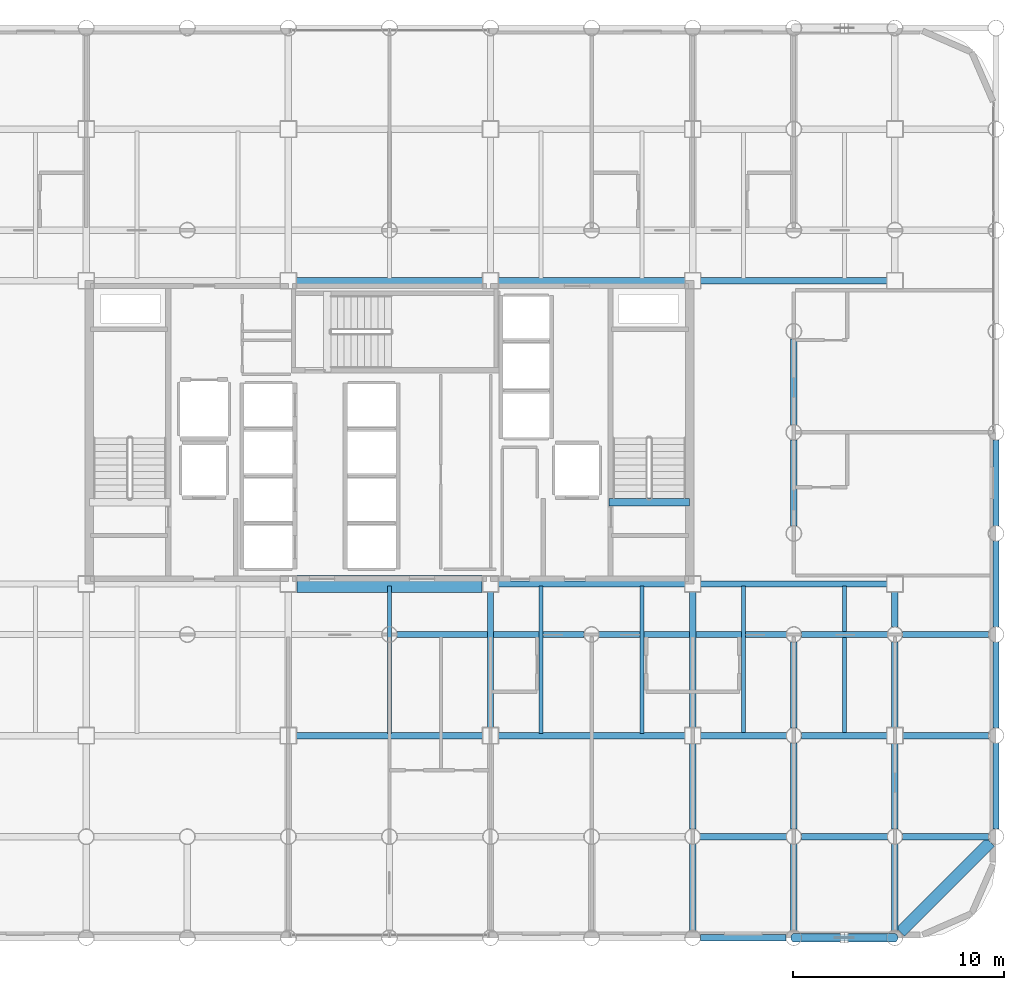
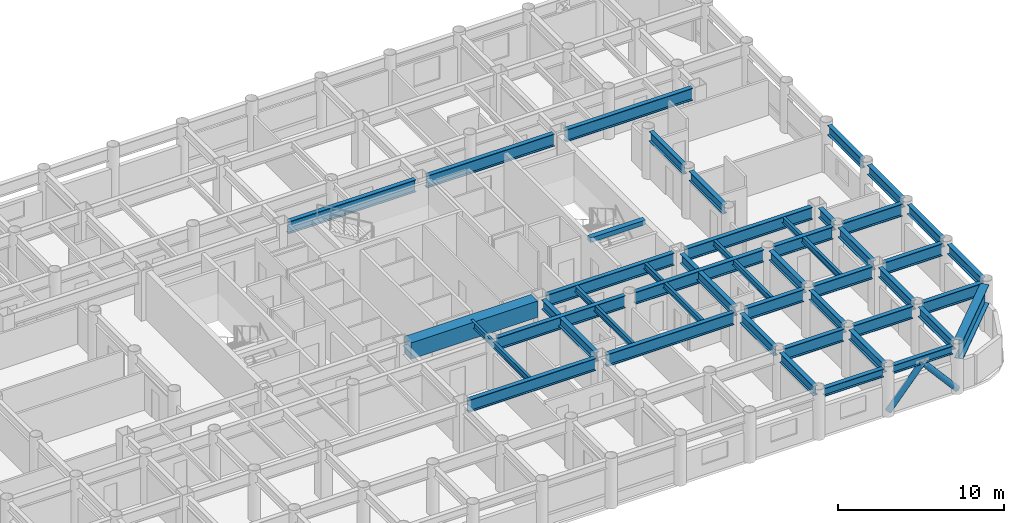
# One storey, part 7 of 21: 44 beams, 2 members.
"""IFC4 building model written with IfcOpenShell, lengths in metres."""

from ifc_helpers import new_model, si_unit, direction, frame, origin, origin_2d, place, context, subcontext, project, spatial, rectangle, hollow_circle, i_section, extrude, material, material_profile, profile_set, type_object, element, save


model = new_model("IFC4")

# Units and contexts
model_context = context("Model", 3, precision=1e-05, world=origin(), true_north=direction((0.0, 1.0)))
body_context = subcontext(model_context, "Body", "Model", "MODEL_VIEW")
ifc_project = project(units=[si_unit("LENGTHUNIT", "METRE"), si_unit("AREAUNIT", "SQUARE_METRE"), si_unit("VOLUMEUNIT", "CUBIC_METRE"), si_unit("PLANEANGLEUNIT", "RADIAN"), si_unit("MASSUNIT", "GRAM", prefix="KILO")], contexts=[model_context])

# Site, building, storey
site_placement = place(None, origin())
site = spatial("IfcSite", under=ifc_project, at=site_placement, CompositionType="ELEMENT")
building_placement = place(site_placement, origin())
building = spatial("IfcBuilding", under=site, at=building_placement, Name="Kallvorn Hotel Tower", CompositionType="ELEMENT")
storey_placement = place(building_placement, frame((0.0, 0.0, 44.800048828125)))
storey = spatial("IfcBuildingStorey", under=building, at=storey_placement, Name="L09", CompositionType="ELEMENT", Elevation=44.800048828125)

# Beams
ifc_material_1 = material(Name="Structural steel S355JR", Category="steel")
ifc_material_profile_1 = material_profile(ifc_material_1, i_section(OverallWidth=0.300048828125, OverallDepth=0.60009765625, WebThickness=0.015380859375, FlangeThickness=0.030029296875, at=origin_2d()), Name="HE 600 B")
ifc_profile_set_1 = profile_set([ifc_material_profile_1], Name="Structural steel S355JR")
beam_type_1 = type_object("IfcBeamType", Name="BM_HE600B", PredefinedType="SPANDREL", material=ifc_profile_set_1)
beam_1_placement = place(storey_placement, frame((14.77099609375, -24.0, 3.219970703125), z_axis=(1.0, 0.0, 0.0), x_axis=(0.0, 1.0, 0.0)))
element("IfcBeam", 1, at=beam_1_placement, inside=storey, type_object=beam_type_1, Name="L10 Perimeter Spandrel 160", PredefinedType="SPANDREL", context=body_context, shape_type="SweptSolid", body=[
    extrude(i_section(OverallWidth=0.300048828125, OverallDepth=0.60009765625, WebThickness=0.015380859375, FlangeThickness=0.030029296875, at=origin_2d()), origin(), (0.0, 0.0, 1.0), 4.05810546875),
])
beam_2_placement = place(storey_placement, frame((19.571044921875, -24.0, 3.219970703125), z_axis=(1.0, 0.0, 0.0), x_axis=(0.0, 1.0, 0.0)))
element("IfcBeam", 2, at=beam_2_placement, inside=storey, type_object=beam_type_1, Name="L10 Perimeter Spandrel 161", PredefinedType="SPANDREL", context=body_context, shape_type="SweptSolid", body=[
    extrude(i_section(OverallWidth=0.300048828125, OverallDepth=0.60009765625, WebThickness=0.015380859375, FlangeThickness=0.030029296875, at=origin_2d()), origin(), (0.0, 0.0, 1.0), 4.057861328125),
])
ifc_material_2 = material(Name="Structural steel S355JR", Category="steel")
ifc_material_profile_2 = material_profile(ifc_material_2, i_section(OverallWidth=0.300048828125, OverallDepth=0.699951171875, WebThickness=0.01708984375, FlangeThickness=0.031982421875, at=origin_2d()), Name="HE 700 B")
ifc_profile_set_2 = profile_set([ifc_material_profile_2], Name="Structural steel S355JR")
beam_type_2 = type_object("IfcBeamType", Name="BM_HE700B", PredefinedType="BEAM", material=ifc_profile_set_2)
beam_3_placement = place(storey_placement, frame((4.800048828125, -14.02490234375, 3.169921875), z_axis=(0.0, 1.0, 0.0), x_axis=(-1.0, 0.0, 0.0)))
element("IfcBeam", 3, at=beam_3_placement, inside=storey, type_object=beam_type_2, Name="L10 Primary Y-Girder 116", PredefinedType="BEAM", context=body_context, shape_type="SweptSolid", body=[
    extrude(i_section(OverallWidth=0.300048828125, OverallDepth=0.699951171875, WebThickness=0.01708984375, FlangeThickness=0.031982421875, at=origin_2d()), origin(), (0.0, 0.0, 1.0), 6.449951171875),
])
beam_4_placement = place(storey_placement, frame((14.39990234375, -23.64404296875, 3.169921875), z_axis=(0.0, 1.0, 0.0), x_axis=(-1.0, 0.0, 0.0)))
element("IfcBeam", 4, at=beam_4_placement, inside=storey, type_object=beam_type_2, Name="L10 Primary Y-Girder 122", PredefinedType="BEAM", context=body_context, shape_type="SweptSolid", body=[
    extrude(i_section(OverallWidth=0.300048828125, OverallDepth=0.699951171875, WebThickness=0.01708984375, FlangeThickness=0.031982421875, at=origin_2d()), origin(), (0.0, 0.0, 1.0), 4.088134765625),
])
beam_5_placement = place(storey_placement, frame((14.39990234375, -18.843994140625, 3.169921875), z_axis=(0.0, 1.0, 0.0), x_axis=(-1.0, 0.0, 0.0)))
element("IfcBeam", 5, at=beam_5_placement, inside=storey, type_object=beam_type_2, Name="L10 Primary Y-Girder 123", PredefinedType="BEAM", context=body_context, shape_type="SweptSolid", body=[
    extrude(i_section(OverallWidth=0.300048828125, OverallDepth=0.699951171875, WebThickness=0.01708984375, FlangeThickness=0.031982421875, at=origin_2d()), origin(), (0.0, 0.0, 1.0), 4.069091796875),
])
beam_6_placement = place(storey_placement, frame((14.39990234375, -14.02490234375, 3.169921875), z_axis=(0.0, 1.0, 0.0), x_axis=(-1.0, 0.0, 0.0)))
element("IfcBeam", 6, at=beam_6_placement, inside=storey, type_object=beam_type_2, Name="L10 Primary Y-Girder 124", PredefinedType="BEAM", context=body_context, shape_type="SweptSolid", body=[
    extrude(i_section(OverallWidth=0.300048828125, OverallDepth=0.699951171875, WebThickness=0.01708984375, FlangeThickness=0.031982421875, at=origin_2d()), origin(), (0.0, 0.0, 1.0), 6.449951171875),
])
beam_7_placement = place(storey_placement, frame((19.199951171875, -23.64404296875, 3.169921875), z_axis=(0.0, 1.0, 0.0), x_axis=(-1.0, 0.0, 0.0)))
element("IfcBeam", 7, at=beam_7_placement, inside=storey, type_object=beam_type_2, Name="L10 Primary Y-Girder 127", PredefinedType="BEAM", context=body_context, shape_type="SweptSolid", body=[
    extrude(i_section(OverallWidth=0.300048828125, OverallDepth=0.699951171875, WebThickness=0.01708984375, FlangeThickness=0.031982421875, at=origin_2d()), origin(), (0.0, 0.0, 1.0), 4.088134765625),
])
for number, where, z_axis, x_axis, name in (
    (8, (19.199951171875, -18.843994140625, 3.169921875), (0.0, 1.0, 0.0), (-1.0, 0.0, 0.0), "L10 Primary Y-Girder 128"),
    (9, (19.199951171875, -14.0439453125, 3.169921875), (0.0, 1.0, 0.0), (-1.0, 0.0, 0.0), "L10 Primary Y-Girder 129"),
):
    element("IfcBeam", number, at=place(storey_placement, frame(where, z_axis=z_axis, x_axis=x_axis)), inside=storey, type_object=beam_type_2, Name=name, PredefinedType="BEAM", context=body_context, shape_type="SweptSolid", body=[
        extrude(i_section(OverallWidth=0.300048828125, OverallDepth=0.699951171875, WebThickness=0.01708984375, FlangeThickness=0.031982421875, at=origin_2d()), origin(), (0.0, 0.0, 1.0), 4.087890625),
    ])
for number, where, z_axis, x_axis, name in (
    (10, (19.199951171875, -4.444091796875, 3.169921875), (0.0, 1.0, 0.0), (-1.0, 0.0, 0.0), "L10 Primary Y-Girder 131"),
    (11, (19.199951171875, 0.35595703125, 3.169921875), (0.0, 1.0, 0.0), (-1.0, 0.0, 0.0), "L10 Primary Y-Girder 132"),
    (12, (24.0, -23.64404296875, 3.169921875), (0.0, 1.0, 0.0), (-1.0, 0.0, 0.0), "L10 Primary Y-Girder 136"),
):
    element("IfcBeam", number, at=place(storey_placement, frame(where, z_axis=z_axis, x_axis=x_axis)), inside=storey, type_object=beam_type_2, Name=name, PredefinedType="BEAM", context=body_context, shape_type="SweptSolid", body=[
        extrude(i_section(OverallWidth=0.300048828125, OverallDepth=0.699951171875, WebThickness=0.01708984375, FlangeThickness=0.031982421875, at=origin_2d()), origin(), (0.0, 0.0, 1.0), 4.088134765625),
    ])
beam_8_placement = place(storey_placement, frame((24.0, -18.843994140625, 3.169921875), z_axis=(0.0, 1.0, 0.0), x_axis=(-1.0, 0.0, 0.0)))
element("IfcBeam", 13, at=beam_8_placement, inside=storey, type_object=beam_type_2, Name="L10 Primary Y-Girder 137", PredefinedType="BEAM", context=body_context, shape_type="SweptSolid", body=[
    extrude(i_section(OverallWidth=0.300048828125, OverallDepth=0.699951171875, WebThickness=0.01708984375, FlangeThickness=0.031982421875, at=origin_2d()), origin(), (0.0, 0.0, 1.0), 4.069091796875),
])
beam_9_placement = place(storey_placement, frame((24.0, -14.02490234375, 3.169921875), z_axis=(0.0, 1.0, 0.0), x_axis=(-1.0, 0.0, 0.0)))
element("IfcBeam", 14, at=beam_9_placement, inside=storey, type_object=beam_type_2, Name="L10 Primary Y-Girder 138", PredefinedType="BEAM", context=body_context, shape_type="SweptSolid", body=[
    extrude(i_section(OverallWidth=0.300048828125, OverallDepth=0.699951171875, WebThickness=0.01708984375, FlangeThickness=0.031982421875, at=origin_2d()), origin(), (0.0, 0.0, 1.0), 4.06884765625),
])
beam_10_placement = place(storey_placement, frame((24.0, -9.243896484375, 3.169921875), z_axis=(0.0, 1.0, 0.0), x_axis=(-1.0, 0.0, 0.0)))
element("IfcBeam", 15, at=beam_10_placement, inside=storey, type_object=beam_type_2, Name="L10 Primary Y-Girder 139", PredefinedType="BEAM", context=body_context, shape_type="SweptSolid", body=[
    extrude(i_section(OverallWidth=0.300048828125, OverallDepth=0.699951171875, WebThickness=0.01708984375, FlangeThickness=0.031982421875, at=origin_2d()), origin(), (0.0, 0.0, 1.0), 1.6689453125),
])
for number, where, z_axis, x_axis, name in (
    (16, (28.800048828125, -18.843994140625, 3.169921875), (0.0, 1.0, 0.0), (-1.0, 0.0, 0.0), "L10 Primary Y-Girder 143"),
    (17, (28.800048828125, -14.0439453125, 3.169921875), (0.0, 1.0, 0.0), (-1.0, 0.0, 0.0), "L10 Primary Y-Girder 144"),
    (18, (28.800048828125, -9.243896484375, 3.169921875), (0.0, 1.0, 0.0), (-1.0, 0.0, 0.0), "L10 Primary Y-Girder 145"),
):
    element("IfcBeam", number, at=place(storey_placement, frame(where, z_axis=z_axis, x_axis=x_axis)), inside=storey, type_object=beam_type_2, Name=name, PredefinedType="BEAM", context=body_context, shape_type="SweptSolid", body=[
        extrude(i_section(OverallWidth=0.300048828125, OverallDepth=0.699951171875, WebThickness=0.01708984375, FlangeThickness=0.031982421875, at=origin_2d()), origin(), (0.0, 0.0, 1.0), 4.087890625),
    ])
beam_11_placement = place(storey_placement, frame((28.800048828125, -4.444091796875, 3.169921875), z_axis=(0.0, 1.0, 0.0), x_axis=(-1.0, 0.0, 0.0)))
element("IfcBeam", 19, at=beam_11_placement, inside=storey, type_object=beam_type_2, Name="L10 Primary Y-Girder 146", PredefinedType="BEAM", context=body_context, shape_type="SweptSolid", body=[
    extrude(i_section(OverallWidth=0.300048828125, OverallDepth=0.699951171875, WebThickness=0.01708984375, FlangeThickness=0.031982421875, at=origin_2d()), origin(), (0.0, 0.0, 1.0), 4.088134765625),
])
ifc_material_3 = material(Name="Structural steel S355JR", Category="steel")
ifc_material_profile_3 = material_profile(ifc_material_3, i_section(OverallWidth=0.300048828125, OverallDepth=0.89990234375, WebThickness=0.0185546875, FlangeThickness=0.034912109375, at=origin_2d()), Name="HE 900 B")
ifc_profile_set_3 = profile_set([ifc_material_profile_3], Name="Structural steel S355JR")
beam_type_3 = type_object("IfcBeamType", Name="BM_HE900B", PredefinedType="BEAM", material=ifc_profile_set_3)
beam_12_placement = place(storey_placement, frame((14.756103515625, -19.199951171875, 3.070068359375), z_axis=(1.0, 0.0, 0.0), x_axis=(0.0, 1.0, 0.0)))
element("IfcBeam", 20, at=beam_12_placement, inside=storey, type_object=beam_type_3, Name="L10 Primary X-Girder 11", PredefinedType="BEAM", context=body_context, shape_type="SweptSolid", body=[
    extrude(i_section(OverallWidth=0.300048828125, OverallDepth=0.89990234375, WebThickness=0.0185546875, FlangeThickness=0.034912109375, at=origin_2d()), origin(), (0.0, 0.0, 1.0), 4.087890625),
])
for number, where, z_axis, x_axis, name in (
    (21, (19.555908203125, -19.199951171875, 3.070068359375), (1.0, 0.0, 0.0), (0.0, 1.0, 0.0), "L10 Primary X-Girder 12"),
    (22, (24.35595703125, -19.199951171875, 3.070068359375), (1.0, 0.0, 0.0), (0.0, 1.0, 0.0), "L10 Primary X-Girder 13"),
):
    element("IfcBeam", number, at=place(storey_placement, frame(where, z_axis=z_axis, x_axis=x_axis)), inside=storey, type_object=beam_type_3, Name=name, PredefinedType="BEAM", context=body_context, shape_type="SweptSolid", body=[
        extrude(i_section(OverallWidth=0.300048828125, OverallDepth=0.89990234375, WebThickness=0.0185546875, FlangeThickness=0.034912109375, at=origin_2d()), origin(), (0.0, 0.0, 1.0), 4.088134765625),
    ])
beam_13_placement = place(storey_placement, frame((-4.425048828125, -14.39990234375, 3.070068359375), z_axis=(1.0, 0.0, 0.0), x_axis=(0.0, 1.0, 0.0)))
element("IfcBeam", 23, at=beam_13_placement, inside=storey, type_object=beam_type_3, Name="L10 Primary X-Girder 19", PredefinedType="BEAM", context=body_context, shape_type="SweptSolid", body=[
    extrude(i_section(OverallWidth=0.300048828125, OverallDepth=0.89990234375, WebThickness=0.0185546875, FlangeThickness=0.034912109375, at=origin_2d()), origin(), (0.0, 0.0, 1.0), 8.85009765625),
])
beam_14_placement = place(storey_placement, frame((5.175048828125, -14.39990234375, 3.070068359375), z_axis=(1.0, 0.0, 0.0), x_axis=(0.0, 1.0, 0.0)))
element("IfcBeam", 24, at=beam_14_placement, inside=storey, type_object=beam_type_3, Name="L10 Primary X-Girder 20", PredefinedType="BEAM", context=body_context, shape_type="SweptSolid", body=[
    extrude(i_section(OverallWidth=0.300048828125, OverallDepth=0.89990234375, WebThickness=0.0185546875, FlangeThickness=0.034912109375, at=origin_2d()), origin(), (0.0, 0.0, 1.0), 8.849853515625),
])
for number, where, z_axis, x_axis, name in (
    (25, (14.77490234375, -14.39990234375, 3.070068359375), (1.0, 0.0, 0.0), (0.0, 1.0, 0.0), "L10 Primary X-Girder 21"),
    (26, (19.555908203125, -14.39990234375, 3.070068359375), (1.0, 0.0, 0.0), (0.0, 1.0, 0.0), "L10 Primary X-Girder 22"),
    (27, (24.375, -14.39990234375, 3.070068359375), (1.0, 0.0, 0.0), (0.0, 1.0, 0.0), "L10 Primary X-Girder 23"),
):
    element("IfcBeam", number, at=place(storey_placement, frame(where, z_axis=z_axis, x_axis=x_axis)), inside=storey, type_object=beam_type_3, Name=name, PredefinedType="BEAM", context=body_context, shape_type="SweptSolid", body=[
        extrude(i_section(OverallWidth=0.300048828125, OverallDepth=0.89990234375, WebThickness=0.0185546875, FlangeThickness=0.034912109375, at=origin_2d()), origin(), (0.0, 0.0, 1.0), 4.069091796875),
    ])
for number, where, z_axis, x_axis, name in (
    (28, (0.35595703125, -9.60009765625, 3.070068359375), (1.0, 0.0, 0.0), (0.0, 1.0, 0.0), "L10 Primary X-Girder 29"),
    (29, (9.9560546875, -9.60009765625, 3.070068359375), (1.0, 0.0, 0.0), (0.0, 1.0, 0.0), "L10 Primary X-Girder 30"),
):
    element("IfcBeam", number, at=place(storey_placement, frame(where, z_axis=z_axis, x_axis=x_axis)), inside=storey, type_object=beam_type_3, Name=name, PredefinedType="BEAM", context=body_context, shape_type="SweptSolid", body=[
        extrude(i_section(OverallWidth=0.300048828125, OverallDepth=0.89990234375, WebThickness=0.0185546875, FlangeThickness=0.034912109375, at=origin_2d()), origin(), (0.0, 0.0, 1.0), 8.887939453125),
    ])
for number, where, z_axis, x_axis, name in (
    (30, (19.555908203125, -9.60009765625, 3.070068359375), (1.0, 0.0, 0.0), (0.0, 1.0, 0.0), "L10 Primary X-Girder 31"),
    (31, (24.35595703125, -9.60009765625, 3.070068359375), (1.0, 0.0, 0.0), (0.0, 1.0, 0.0), "L10 Primary X-Girder 32"),
):
    element("IfcBeam", number, at=place(storey_placement, frame(where, z_axis=z_axis, x_axis=x_axis)), inside=storey, type_object=beam_type_3, Name=name, PredefinedType="BEAM", context=body_context, shape_type="SweptSolid", body=[
        extrude(i_section(OverallWidth=0.300048828125, OverallDepth=0.89990234375, WebThickness=0.0185546875, FlangeThickness=0.034912109375, at=origin_2d()), origin(), (0.0, 0.0, 1.0), 4.088134765625),
    ])
beam_15_placement = place(storey_placement, frame((5.175048828125, -7.199951171875, 3.070068359375), z_axis=(1.0, 0.0, 0.0), x_axis=(0.0, 1.0, 0.0)))
element("IfcBeam", 32, at=beam_15_placement, inside=storey, type_object=beam_type_3, Name="L10 Primary X-Girder 35", PredefinedType="BEAM", context=body_context, shape_type="SweptSolid", body=[
    extrude(i_section(OverallWidth=0.300048828125, OverallDepth=0.89990234375, WebThickness=0.0185546875, FlangeThickness=0.034912109375, at=origin_2d()), origin(), (0.0, 0.0, 1.0), 8.849853515625),
])
for number, where, z_axis, x_axis, name in (
    (33, (14.77490234375, -7.199951171875, 3.070068359375), (1.0, 0.0, 0.0), (0.0, 1.0, 0.0), "L10 Primary X-Girder 36"),
    (34, (-4.425048828125, 7.199951171875, 3.070068359375), (1.0, 0.0, 0.0), (0.0, 1.0, 0.0), "L10 Primary X-Girder 39"),
):
    element("IfcBeam", number, at=place(storey_placement, frame(where, z_axis=z_axis, x_axis=x_axis)), inside=storey, type_object=beam_type_3, Name=name, PredefinedType="BEAM", context=body_context, shape_type="SweptSolid", body=[
        extrude(i_section(OverallWidth=0.300048828125, OverallDepth=0.89990234375, WebThickness=0.0185546875, FlangeThickness=0.034912109375, at=origin_2d()), origin(), (0.0, 0.0, 1.0), 8.85009765625),
    ])
beam_16_placement = place(storey_placement, frame((5.175048828125, 7.199951171875, 3.070068359375), z_axis=(1.0, 0.0, 0.0), x_axis=(0.0, 1.0, 0.0)))
element("IfcBeam", 35, at=beam_16_placement, inside=storey, type_object=beam_type_3, Name="L10 Primary X-Girder 40", PredefinedType="BEAM", context=body_context, shape_type="SweptSolid", body=[
    extrude(i_section(OverallWidth=0.300048828125, OverallDepth=0.89990234375, WebThickness=0.0185546875, FlangeThickness=0.034912109375, at=origin_2d()), origin(), (0.0, 0.0, 1.0), 8.849853515625),
])
beam_17_placement = place(storey_placement, frame((14.77490234375, 7.199951171875, 3.070068359375), z_axis=(1.0, 0.0, 0.0), x_axis=(0.0, 1.0, 0.0)))
element("IfcBeam", 36, at=beam_17_placement, inside=storey, type_object=beam_type_3, Name="L10 Primary X-Girder 41", PredefinedType="BEAM", context=body_context, shape_type="SweptSolid", body=[
    extrude(i_section(OverallWidth=0.300048828125, OverallDepth=0.89990234375, WebThickness=0.0185546875, FlangeThickness=0.034912109375, at=origin_2d()), origin(), (0.0, 0.0, 1.0), 8.85009765625),
])
ifc_material_4 = material(Name="Structural steel S355JR", Category="steel")
ifc_material_profile_4 = material_profile(ifc_material_4, i_section(OverallWidth=0.18994140625, OverallDepth=0.449951171875, WebThickness=0.009521484375, FlangeThickness=0.0146484375, at=origin_2d()), Name="IPE 450")
ifc_profile_set_4 = profile_set([ifc_material_profile_4], Name="Structural steel S355JR")
beam_type_4 = type_object("IfcBeamType", Name="BM_IPE450", PredefinedType="JOIST", material=ifc_profile_set_4)
for number, where, z_axis, x_axis, name in (
    (37, (0.0, -14.300048828125, 3.294921875), (0.0, 1.0, 0.0), (-1.0, 0.0, 0.0), "L10 Secondary Composite Joist 200"),
    (38, (7.199951171875, -14.300048828125, 3.294921875), (0.0, 1.0, 0.0), (-1.0, 0.0, 0.0), "L10 Secondary Composite Joist 202"),
    (39, (12.0, -14.300048828125, 3.294921875), (0.0, 1.0, 0.0), (-1.0, 0.0, 0.0), "L10 Secondary Composite Joist 204"),
    (40, (16.800048828125, -14.300048828125, 3.294921875), (0.0, 1.0, 0.0), (-1.0, 0.0, 0.0), "L10 Secondary Composite Joist 206"),
    (41, (21.60009765625, -14.300048828125, 3.294921875), (0.0, 1.0, 0.0), (-1.0, 0.0, 0.0), "L10 Secondary Composite Joist 208"),
):
    element("IfcBeam", number, at=place(storey_placement, frame(where, z_axis=z_axis, x_axis=x_axis)), inside=storey, type_object=beam_type_4, Name=name, PredefinedType="JOIST", context=body_context, shape_type="SweptSolid", body=[
        extrude(i_section(OverallWidth=0.18994140625, OverallDepth=0.449951171875, WebThickness=0.009521484375, FlangeThickness=0.0146484375, at=origin_2d()), origin(), (0.0, 0.0, 1.0), 7.0),
    ])
ifc_material_5 = material(Name="Structural steel S355JR", Category="steel")
ifc_material_profile_5 = material_profile(ifc_material_5, i_section(OverallWidth=0.550048828125, OverallDepth=1.39990234375, WebThickness=0.02490234375, FlangeThickness=0.044921875, at=origin_2d()), Name="PG 1400x550x25x45")
ifc_profile_set_5 = profile_set([ifc_material_profile_5], Name="Structural steel S355JR")
beam_type_5 = type_object("IfcBeamType", Name="BM_PG_1400", PredefinedType="BEAM", material=ifc_profile_set_5)
beam_18_placement = place(storey_placement, frame((28.53759765625, -19.46240234375, 2.820068359375), z_axis=(-0.707106781187, -0.707106781187, 0.0), x_axis=(0.707106781187, -0.707106781187, 0.0)))
element("IfcBeam", 42, at=beam_18_placement, inside=storey, type_object=beam_type_5, Name="L10 Rounded Corner Tie Beam 191", PredefinedType="BEAM", context=body_context, shape_type="SweptSolid", body=[
    extrude(i_section(OverallWidth=0.550048828125, OverallDepth=1.39990234375, WebThickness=0.02490234375, FlangeThickness=0.044921875, at=origin_2d()), origin(), (0.0, 0.0, 1.0), 6.04638671875),
])
ifc_material_6 = material(Name="Concrete C50/60", Category="concrete")
ifc_material_profile_6 = material_profile(ifc_material_6, rectangle(XDim=0.360107421875, YDim=0.340087890625, at=origin_2d()), Name="RC 360x340")
ifc_profile_set_6 = profile_set([ifc_material_profile_6], Name="Concrete C50/60")
beam_type_6 = type_object("IfcBeamType", Name="BM_RC_400x360", PredefinedType="BEAM", material=ifc_profile_set_6)
beam_19_placement = place(storey_placement, frame((14.239990234375, -3.31005859375, 3.349853515625), z_axis=(-1.0, 0.0, 0.0), x_axis=(0.0, -1.0, 0.0)))
element("IfcBeam", 43, at=beam_19_placement, inside=storey, type_object=beam_type_6, Name="L10 Stair ST2 Arrival Trimmer Beam", PredefinedType="BEAM", context=body_context, shape_type="SweptSolid", body=[
    extrude(rectangle(XDim=0.360107421875, YDim=0.340087890625, at=origin_2d()), origin(), (0.0, 0.0, 1.0), 3.820068359375),
])
ifc_material_7 = material(Name="Concrete C50/60", Category="concrete")
ifc_material_profile_7 = material_profile(ifc_material_7, rectangle(XDim=0.800048828125, YDim=1.199951171875, at=origin_2d()), Name="RC 800x1200")
ifc_profile_set_7 = profile_set([ifc_material_profile_7], Name="Concrete C50/60")
beam_type_7 = type_object("IfcBeamType", Name="BM_RC_800x1200", PredefinedType="T_BEAM", material=ifc_profile_set_7)
beam_20_placement = place(storey_placement, frame((-4.39990234375, -7.199951171875, 2.919921875), z_axis=(1.0, 0.0, 0.0), x_axis=(0.0, 1.0, 0.0)))
element("IfcBeam", 44, at=beam_20_placement, inside=storey, type_object=beam_type_7, Name="L09 Core Coupling Beam South", PredefinedType="T_BEAM", context=body_context, shape_type="SweptSolid", body=[
    extrude(rectangle(XDim=0.800048828125, YDim=1.199951171875, at=origin_2d()), origin(), (0.0, 0.0, 1.0), 8.7998046875),
])

# Members
ifc_material_8 = material(Name="Structural steel S355J2H", Category="steel")
ifc_material_profile_8 = material_profile(ifc_material_8, hollow_circle(Radius=0.203125, WallThickness=0.01611328125, at=origin_2d()), Name="CHS 406.4x16")
ifc_profile_set_8 = profile_set([ifc_material_profile_8], Name="Structural steel S355J2H")
member_type = type_object("IfcMemberType", Name="MBR_EXO_CHS406", PredefinedType="BRACE", material=ifc_profile_set_8)
for number, where, z_axis, x_axis, name in (
    (45, (19.213134765625, -24.0, 0.195068359375), (0.65346062529, 0.0, 0.756960508346), (0.0, 1.0, 0.0), "L09 Exoskeleton K-Brace S2A"),
    (46, (23.98681640625, -24.0, 0.195068359375), (-0.65346062529, 0.0, 0.756960508346), (0.0, -1.0, 0.0), "L09 Exoskeleton K-Brace S2B"),
):
    element("IfcMember", number, at=place(storey_placement, frame(where, z_axis=z_axis, x_axis=x_axis)), inside=storey, type_object=member_type, Name=name, PredefinedType="BRACE", context=body_context, shape_type="SweptSolid", body=[
        extrude(hollow_circle(Radius=0.203125, WallThickness=0.01611328125, at=origin_2d()), origin(), (0.0, 0.0, 1.0), 3.632568359375),
    ])

save(model, "model.ifc")
